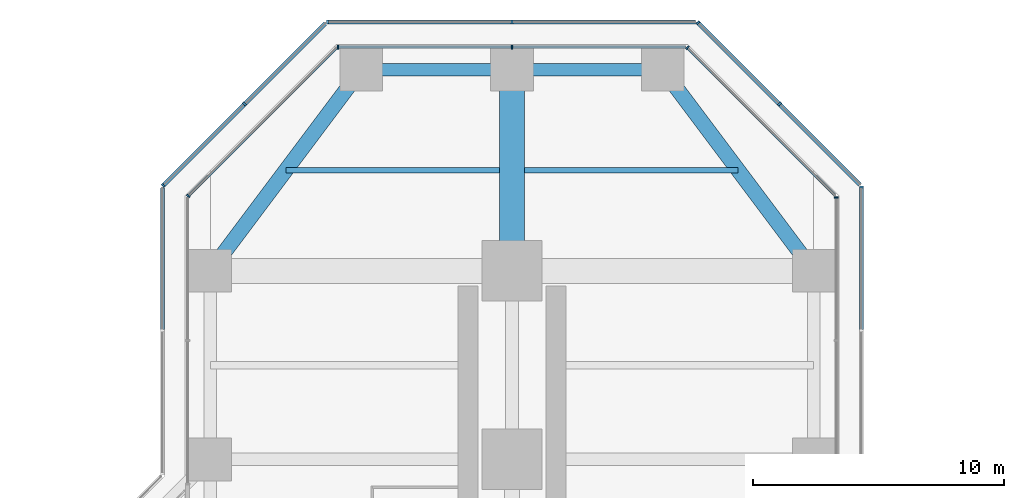
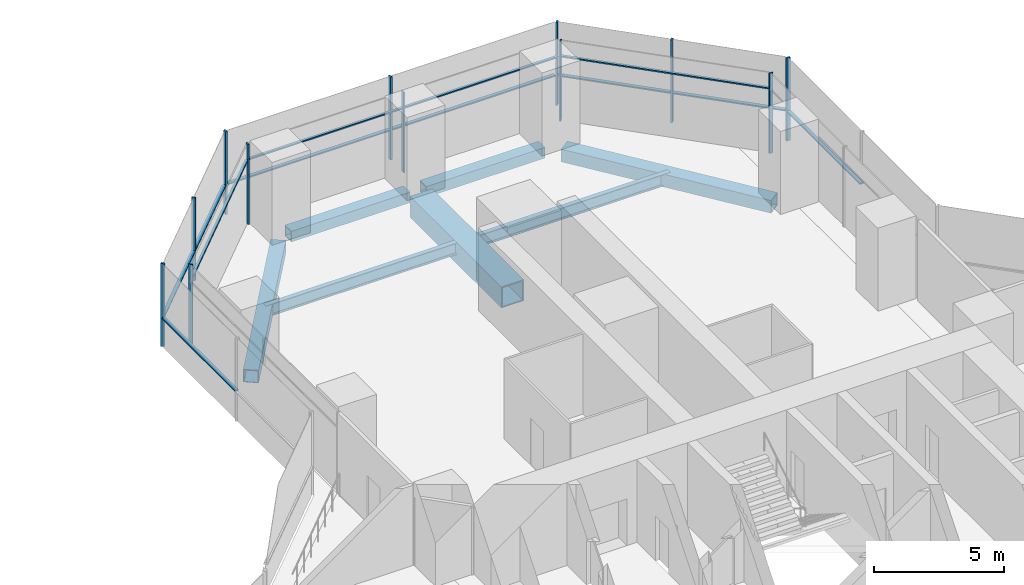
# One storey, part 13 of 22: 24 members, 7 beams, 9 elements without a shape of their own.
"""IFC4 building model written with IfcOpenShell, lengths in metres."""

import ifcopenshell
import ifcopenshell.guid

model = None  # the IFC model being written
_history = None  # IfcOwnerHistory: only IFC2X3 demands one
_inside = {}  # id of a spatial element -> (the spatial element, [elements in it])
_under = {}  # id of a project, library or spatial element -> (it, [spatial elements below it])
_declared = {}  # id of a project -> (the project, [libraries it declares])
_typed = {}  # id of a type object -> (the type object, [elements of that type])
_made_of = {}  # id of a material, layer set ... -> (it, [elements and type objects made of it])


def new_model(schema):
    """Start an empty IFC model of exactly this schema.

    Asked for "IFC4X3", IfcOpenShell would pick the latest addendum, in which some entities
    have other attributes; the version numbers below select the first issue.
    IFC2X3 requires an IfcOwnerHistory on every rooted entity: one is made here for all.
    """
    global model, _history
    if schema == "IFC4X3":
        model = ifcopenshell.file(schema_version=(4, 3, 0, 0))
    else:
        model = ifcopenshell.file(schema=schema)
    _inside.clear()
    _under.clear()
    _declared.clear()
    _typed.clear()
    _made_of.clear()
    _history = None
    if model.schema == "IFC2X3":
        org = make("IfcOrganization", Name="unknown")
        user = make(
            "IfcPersonAndOrganization",
            ThePerson=make("IfcPerson", FamilyName="unknown"),
            TheOrganization=org,
        )
        app = make(
            "IfcApplication",
            ApplicationDeveloper=org,
            Version="unknown",
            ApplicationFullName="unknown",
            ApplicationIdentifier="unknown",
        )
        _history = make(
            "IfcOwnerHistory",
            OwningUser=user,
            OwningApplication=app,
            ChangeAction="ADDED",
            CreationDate=0,
        )
    return model


def make(cls, **values):
    """One entity of the class cls with the attributes given. An attribute that is None is left unset."""
    return model.create_entity(
        cls, **{name: value for name, value in values.items() if value is not None}
    )


def rooted(cls, **values):
    """An entity with a GlobalId (a new one), such as an element, a storey or a relation."""
    return make(cls, GlobalId=ifcopenshell.guid.new(), OwnerHistory=_history, **values)


def si_unit(unit_type, name, prefix=None):
    """IfcSIUnit, for example si_unit("LENGTHUNIT", "METRE", prefix="MILLI")."""
    return make("IfcSIUnit", UnitType=unit_type, Prefix=prefix, Name=name)


def assignment(units):
    """IfcUnitAssignment: the units of a project."""
    return None if units is None else make("IfcUnitAssignment", Units=units)


def point(xyz):
    """IfcCartesianPoint."""
    return None if xyz is None else make("IfcCartesianPoint", Coordinates=xyz)


def direction(xyz):
    """IfcDirection."""
    return None if xyz is None else make("IfcDirection", DirectionRatios=xyz)


def frame(location, z_axis=None, x_axis=None):
    """IfcAxis2Placement3D, a coordinate frame: its origin and axes. An axis left out is left unset."""
    return make(
        "IfcAxis2Placement3D",
        Location=point(location),
        Axis=direction(z_axis),
        RefDirection=direction(x_axis),
    )


def frame_2d(location, x_axis=None):
    """IfcAxis2Placement2D, a coordinate frame in the plane: its origin and x axis."""
    return make(
        "IfcAxis2Placement2D", Location=point(location), RefDirection=direction(x_axis)
    )


def origin():
    """The frame at (0, 0, 0) with its axes left unset."""
    return frame((0.0, 0.0, 0.0))


def origin_2d():
    """The frame at (0, 0) in the plane with its x axis left unset."""
    return frame_2d((0.0, 0.0))


def place(relative_to, where):
    """IfcLocalPlacement: puts the frame where relative to a parent placement (None: the world)."""
    return make(
        "IfcLocalPlacement", PlacementRelTo=relative_to, RelativePlacement=where
    )


def context(
    kind, dimensions, precision=None, world=None, true_north=None, identifier=None
):
    """IfcGeometricRepresentationContext, for example the 3D "Model" context."""
    return make(
        "IfcGeometricRepresentationContext",
        ContextIdentifier=identifier,
        ContextType=kind,
        CoordinateSpaceDimension=dimensions,
        Precision=precision,
        WorldCoordinateSystem=world,
        TrueNorth=true_north,
    )


def subcontext(parent, identifier, kind, view, scale=None):
    """IfcGeometricRepresentationSubContext, for example "Body" below "Model"."""
    return make(
        "IfcGeometricRepresentationSubContext",
        ContextIdentifier=identifier,
        ContextType=kind,
        ParentContext=parent,
        TargetScale=scale,
        TargetView=view,
    )


def project(units=None, contexts=None):
    """IfcProject with its units and contexts."""
    return rooted(
        "IfcProject",
        Name="project",
        RepresentationContexts=contexts,
        UnitsInContext=assignment(units),
    )


def spatial(cls, under=None, at=None, **own):
    """A site, building, storey or space (cls), placed at a placement, below another one or the project."""
    s = rooted(cls, ObjectPlacement=at, **own)
    if under is not None:
        _under.setdefault(under.id(), (under, []))[1].append(s)
    return s


def profile(cls, at=None, kind="AREA", **sizes):
    """A parametric profile (cls). Its sizes go by their IFC names, for example OverallWidth=200.0."""
    return make(cls, ProfileType=kind, Position=at, **sizes)


def rectangle(**sizes):
    """IfcRectangleProfileDef."""
    return profile("IfcRectangleProfileDef", **sizes)


def hollow_rectangle(**sizes):
    """IfcRectangleHollowProfileDef."""
    return profile("IfcRectangleHollowProfileDef", **sizes)


def i_section(**sizes):
    """IfcIShapeProfileDef."""
    return profile("IfcIShapeProfileDef", **sizes)


def extrude(swept, where, along, depth):
    """IfcExtrudedAreaSolid: the profile swept, set in the frame where, extruded along a direction by depth."""
    return make(
        "IfcExtrudedAreaSolid",
        SweptArea=swept,
        Position=where,
        ExtrudedDirection=direction(along),
        Depth=depth,
    )


def shape(context_of_items, identifier, shape_type, items):
    """IfcShapeRepresentation: the items that make up one representation, for example the "Body"."""
    return make(
        "IfcShapeRepresentation",
        ContextOfItems=context_of_items,
        RepresentationIdentifier=identifier,
        RepresentationType=shape_type,
        Items=items,
    )


def material(Name=None, Category=None):
    """IfcMaterial."""
    return make("IfcMaterial", Name=Name, Category=Category)


def material_profile(
    of_material, cross_section, Name=None, Category=None, Priority=None
):
    """IfcMaterialProfile: a cross section and its material."""
    return make(
        "IfcMaterialProfile",
        Name=Name,
        Material=of_material,
        Profile=cross_section,
        Priority=Priority,
        Category=Category,
    )


def profile_set(profiles, Name=None, composite=None):
    """IfcMaterialProfileSet."""
    return make(
        "IfcMaterialProfileSet",
        Name=Name,
        MaterialProfiles=profiles,
        CompositeProfile=composite,
    )


def made_of(thing, what):
    """Note that an element or type object is made of a material, layer set ...; save() writes the relation."""
    if what is not None:
        _made_of.setdefault(what.id(), (what, []))[1].append(thing)
    return thing


def type_object(cls, material=None, **own):
    """A type object (cls), such as IfcWallType, which elements share."""
    return made_of(rooted(cls, **own), material)


def element(
    cls,
    number,
    at=None,
    inside=None,
    cuts=None,
    type_object=None,
    material=None,
    context=None,
    identifier="Body",
    shape_type=None,
    held_by="IfcProductDefinitionShape",
    body=None,
    shapes=None,
    **own,
):
    """One element of the class cls, such as IfcWall. Its Tag is "e" and its number.

    at: its placement. inside: the storey or other place that contains it. cuts: it is an
    opening in that element (IfcRelVoidsElement). A single representation is given by context,
    identifier, shape_type and body (its items); several are given by shapes. held_by: the class
    of the entity that holds the representations. save() writes the other relations.
    """
    e = rooted(cls, Tag="e%d" % number, ObjectPlacement=at, **own)
    if body is not None:
        shapes = [shape(context, identifier, shape_type, body)]
    if shapes is not None:
        e.Representation = make(held_by, Representations=shapes)
    if inside is not None:
        _inside.setdefault(inside.id(), (inside, []))[1].append(e)
    if cuts is not None:
        rooted(
            "IfcRelVoidsElement", RelatingBuildingElement=cuts, RelatedOpeningElement=e
        )
    if type_object is not None:
        _typed.setdefault(type_object.id(), (type_object, []))[1].append(e)
    return made_of(e, material)


def aggregate(whole, parts):
    """IfcRelAggregates: a whole, such as a stair, and the parts it consists of."""
    return rooted("IfcRelAggregates", RelatingObject=whole, RelatedObjects=parts)


def save(model, path):
    """Write the relations noted so far, then the file.

    IfcRelAggregates (storeys below a building ...), IfcRelContainedInSpatialStructure (elements
    in a storey), IfcRelDefinesByType, IfcRelAssociatesMaterial and IfcRelDeclares: one each for
    every whole, place, type object, material and project.
    """
    for whole, parts in _under.values():
        aggregate(whole, parts)
    for where, things in _inside.values():
        rooted(
            "IfcRelContainedInSpatialStructure",
            RelatedElements=things,
            RelatingStructure=where,
        )
    for kind, things in _typed.values():
        rooted("IfcRelDefinesByType", RelatedObjects=things, RelatingType=kind)
    for what, things in _made_of.values():
        rooted("IfcRelAssociatesMaterial", RelatedObjects=things, RelatingMaterial=what)
    for by, libraries in _declared.values():
        rooted("IfcRelDeclares", RelatingContext=by, RelatedDefinitions=libraries)
    model.write(path)


model = new_model("IFC4")

# Units and contexts
model_context = context("Model", 3, precision=1e-05, world=origin(), true_north=direction((0.0, 1.0)))
body_context = subcontext(model_context, "Body", "Model", "MODEL_VIEW")
ifc_project = project(units=[si_unit("LENGTHUNIT", "METRE"), si_unit("AREAUNIT", "SQUARE_METRE"), si_unit("VOLUMEUNIT", "CUBIC_METRE"), si_unit("PLANEANGLEUNIT", "RADIAN"), si_unit("MASSUNIT", "GRAM", prefix="KILO")], contexts=[model_context])

# Site, building, storey
site_placement = place(None, origin())
site = spatial("IfcSite", under=ifc_project, at=site_placement, CompositionType="ELEMENT")
building_placement = place(site_placement, origin())
building = spatial("IfcBuilding", under=site, at=building_placement, Name="Mizan Broadcast Tower", CompositionType="ELEMENT")
storey_placement = place(building_placement, frame((0.0, 0.0, 59.10009765625)))
storey = spatial("IfcBuildingStorey", under=building, at=storey_placement, Name="L11", CompositionType="ELEMENT", Elevation=59.10009765625)

# Beams
ifc_material_1 = material(Name="Steel S355", Category="steel")
ifc_material_profile_1 = material_profile(ifc_material_1, hollow_rectangle(XDim=0.5, YDim=0.5, WallThickness=0.030029296875, at=origin_2d()), Name="BOX 500x500x30")
ifc_profile_set_1 = profile_set([ifc_material_profile_1], Name="Steel S355")
beam_type_1 = type_object("IfcBeamType", Name="EDGE BEAM BOX 500x500x30", PredefinedType="SPANDREL", material=ifc_profile_set_1)
for number, where, z_axis, x_axis, name in (
    (1, (5.639892578125, 35.0, -0.380126953125), (-1.0, 0.0, 0.0), (0.0, -1.0, 0.0), "Edge beam BOX 500x500x30 L11 north arm"),
    (2, (-5.639892578125, 35.0, -0.380126953125), (1.0, 0.0, 0.0), (0.0, 1.0, 0.0), "Edge beam BOX 500x500x30 L11 north arm"),
):
    element("IfcBeam", number, at=place(storey_placement, frame(where, z_axis=z_axis, x_axis=x_axis)), inside=storey, type_object=beam_type_1, Name=name, PredefinedType="SPANDREL", context=body_context, shape_type="SweptSolid", body=[
        extrude(hollow_rectangle(XDim=0.5, YDim=0.5, WallThickness=0.030029296875, at=origin_2d()), origin(), (0.0, 0.0, 1.0), 5.27978515625),
    ])
ifc_material_2 = material(Name="Steel S355", Category="steel")
ifc_material_profile_2 = material_profile(ifc_material_2, hollow_rectangle(XDim=0.60009765625, YDim=0.60009765625, WallThickness=0.030029296875, at=origin_2d()), Name="BOX 600x600x30")
ifc_profile_set_2 = profile_set([ifc_material_profile_2], Name="Steel S355")
beam_type_2 = type_object("IfcBeamType", Name="EDGE BEAM BOX 600x600x30", PredefinedType="SPANDREL", material=ifc_profile_set_2)
for number, where, z_axis, x_axis, name in (
    (3, (11.639892578125, 27.47998046875, -0.43017578125), (-0.599982243973, 0.800013316712, 0.0), (-0.800013316712, -0.599982243973, 0.0), "Edge beam BOX 600x600x30 L11 north arm"),
    (4, (-11.639892578125, 27.47998046875, -0.43017578125), (0.599982243973, 0.800013316712, 0.0), (-0.800013316712, 0.599982243973, 0.0), "Edge beam BOX 600x600x30 L11 north arm"),
):
    element("IfcBeam", number, at=place(storey_placement, frame(where, z_axis=z_axis, x_axis=x_axis)), inside=storey, type_object=beam_type_2, Name=name, PredefinedType="SPANDREL", context=body_context, shape_type="SweptSolid", body=[
        extrude(hollow_rectangle(XDim=0.60009765625, YDim=0.60009765625, WallThickness=0.030029296875, at=origin_2d()), origin(), (0.0, 0.0, 1.0), 8.7998046875),
    ])
ifc_material_3 = material(Name="Steel S460", Category="steel")
ifc_material_profile_3 = material_profile(ifc_material_3, hollow_rectangle(XDim=1.0, YDim=1.0, WallThickness=0.06005859375, at=origin_2d()), Name="BOX 1000x1000x60")
ifc_profile_set_3 = profile_set([ifc_material_profile_3], Name="Steel S460")
beam_type_3 = type_object("IfcBeamType", Name="GIRDER BOX 1000x1000x60", PredefinedType="BEAM", material=ifc_profile_set_3)
beam_placement = place(storey_placement, frame((0.0, 27.47998046875, -0.630126953125), z_axis=(0.0, 1.0, 0.0), x_axis=(-1.0, 0.0, 0.0)))
element("IfcBeam", 5, at=beam_placement, inside=storey, type_object=beam_type_3, Name="Girder BOX 1000x1000x60 L11 north arm", PredefinedType="BEAM", context=body_context, shape_type="SweptSolid", body=[
    extrude(hollow_rectangle(XDim=1.0, YDim=1.0, WallThickness=0.06005859375, at=origin_2d()), origin(), (0.0, 0.0, 1.0), 7.0400390625),
])

# Curtain wall, member
ifc_material_4 = material(Name="Aluminium framed glazing", Category="aluminium")
curtain_wall_type_1 = type_object("IfcCurtainWallType", Name="INNER SKIN LOW ZONE", PredefinedType="USERDEFINED", material=ifc_material_4)
curtain_wall_1_placement = place(storey_placement, origin())
curtain_wall_1 = element("IfcCurtainWall", 6, at=curtain_wall_1_placement, inside=storey, type_object=curtain_wall_type_1, Name="Inner skin low zone L11 N side", ObjectType="INNER SKIN LOW ZONE", PredefinedType="USERDEFINED")
ifc_material_5 = material(Name="Aluminium, pale anodised", Category="aluminium")
ifc_material_profile_4 = material_profile(ifc_material_5, rectangle(XDim=0.159912109375, YDim=0.06005859375, at=origin_2d()), Name="MULLION 160x60")
ifc_profile_set_4 = profile_set([ifc_material_profile_4], Name="Aluminium, pale anodised")
member_type_1 = type_object("IfcMemberType", Name="INNER SKIN MULLION 60x160", PredefinedType="MULLION", material=ifc_profile_set_4)
member_1_placement = place(storey_placement, frame((12.89990234375, 29.928466796875, 0.0), z_axis=(0.0, 0.0, 1.0), x_axis=(-1.0, 0.0, 0.0)))
member_1 = element("IfcMember", 7, at=member_1_placement, type_object=member_type_1, Name="Inner skin low zone L11 N side mullion 3", PredefinedType="MULLION", context=body_context, shape_type="SweptSolid", body=[
    extrude(rectangle(XDim=0.159912109375, YDim=0.06005859375, at=origin_2d()), origin(), (0.0, 0.0, 1.0), 3.77001953125),
])
aggregate(curtain_wall_1, [member_1])

curtain_wall_2_placement = place(storey_placement, origin())
curtain_wall_2 = element("IfcCurtainWall", 8, at=curtain_wall_2_placement, inside=storey, type_object=curtain_wall_type_1, Name="Inner skin low zone L11 N chamfer", ObjectType="INNER SKIN LOW ZONE", PredefinedType="USERDEFINED")
member_2_placement = place(storey_placement, frame((6.979736328125, 35.87890625, 0.0), z_axis=(0.0, 0.0, 1.0), x_axis=(-0.707106781187, -0.707106781187, 0.0)))
member_2 = element("IfcMember", 9, at=member_2_placement, type_object=member_type_1, Name="Inner skin low zone L11 N chamfer mullion 2", PredefinedType="MULLION", context=body_context, shape_type="SweptSolid", body=[
    extrude(rectangle(XDim=0.159912109375, YDim=0.06005859375, at=origin_2d()), origin(), (0.0, 0.0, 1.0), 3.77001953125),
])

# Curtain wall, members
curtain_wall_3_placement = place(storey_placement, origin())
curtain_wall_3 = element("IfcCurtainWall", 10, at=curtain_wall_3_placement, inside=storey, type_object=curtain_wall_type_1, Name="Inner skin low zone L11 N end", ObjectType="INNER SKIN LOW ZONE", PredefinedType="USERDEFINED")
member_3_placement = place(storey_placement, frame((0.0, 35.89990234375, 0.0), z_axis=(0.0, 0.0, 1.0), x_axis=(0.0, -1.0, 0.0)))
member_3 = element("IfcMember", 11, at=member_3_placement, type_object=member_type_1, Name="Inner skin low zone L11 N end mullion 2", PredefinedType="MULLION", context=body_context, shape_type="SweptSolid", body=[
    extrude(rectangle(XDim=0.159912109375, YDim=0.06005859375, at=origin_2d()), origin(), (0.0, 0.0, 1.0), 3.77001953125),
])
member_4_placement = place(storey_placement, frame((-6.928466796875, 35.89990234375, 0.0), z_axis=(0.0, 0.0, 1.0), x_axis=(0.0, -1.0, 0.0)))
member_4 = element("IfcMember", 12, at=member_4_placement, type_object=member_type_1, Name="Inner skin low zone L11 N end mullion 3", PredefinedType="MULLION", context=body_context, shape_type="SweptSolid", body=[
    extrude(rectangle(XDim=0.159912109375, YDim=0.06005859375, at=origin_2d()), origin(), (0.0, 0.0, 1.0), 3.77001953125),
])

# Curtain wall, member
curtain_wall_4_placement = place(storey_placement, origin())
curtain_wall_4 = element("IfcCurtainWall", 13, at=curtain_wall_4_placement, inside=storey, type_object=curtain_wall_type_1, Name="Inner skin low zone L11 N chamfer", ObjectType="INNER SKIN LOW ZONE", PredefinedType="USERDEFINED")
member_5_placement = place(storey_placement, frame((-12.87890625, 29.979736328125, 0.0), z_axis=(0.0, 0.0, 1.0), x_axis=(0.707106781187, -0.707106781187, 0.0)))
member_5 = element("IfcMember", 14, at=member_5_placement, type_object=member_type_1, Name="Inner skin low zone L11 N chamfer mullion 2", PredefinedType="MULLION", context=body_context, shape_type="SweptSolid", body=[
    extrude(rectangle(XDim=0.159912109375, YDim=0.06005859375, at=origin_2d()), origin(), (0.0, 0.0, 1.0), 3.77001953125),
])

# Member
ifc_material_6 = material(Name="Aluminium, pale anodised", Category="aluminium")
ifc_material_profile_5 = material_profile(ifc_material_6, rectangle(XDim=0.1201171875, YDim=0.06005859375, at=origin_2d()), Name="TRANSOM 120x60")
ifc_profile_set_5 = profile_set([ifc_material_profile_5], Name="Aluminium, pale anodised")
member_type_2 = type_object("IfcMemberType", Name="INNER SKIN TRANSOM 60x120", PredefinedType="USERDEFINED", material=ifc_profile_set_5)
member_6_placement = place(storey_placement, frame((12.857666015625, 30.0009765625, 3.02978515625), z_axis=(-0.707106781187, 0.707106781187, 0.0), x_axis=(-0.707106781187, -0.707106781187, 0.0)))
member_6 = element("IfcMember", 15, at=member_6_placement, type_object=member_type_2, Name="Inner skin low zone L11 N chamfer transom 1.1", ObjectType="TRANSOM", PredefinedType="USERDEFINED", context=body_context, shape_type="SweptSolid", body=[
    extrude(rectangle(XDim=0.1201171875, YDim=0.06005859375, at=origin_2d()), origin(), (0.0, 0.0, 1.0), 8.28271484375),
])

aggregate(curtain_wall_2, [member_2, member_6])

member_7_placement = place(storey_placement, frame((6.898681640625, 35.89990234375, 3.02978515625), z_axis=(-1.0, 0.0, 0.0), x_axis=(0.0, -1.0, 0.0)))
member_7 = element("IfcMember", 16, at=member_7_placement, type_object=member_type_2, Name="Inner skin low zone L11 N end transom 1.1", ObjectType="TRANSOM", PredefinedType="USERDEFINED", context=body_context, shape_type="SweptSolid", body=[
    extrude(rectangle(XDim=0.1201171875, YDim=0.06005859375, at=origin_2d()), origin(), (0.0, 0.0, 1.0), 6.86865234375),
])

member_8_placement = place(storey_placement, frame((-0.030029296875, 35.89990234375, 3.02978515625), z_axis=(-1.0, 0.0, 0.0), x_axis=(0.0, -1.0, 0.0)))
member_8 = element("IfcMember", 17, at=member_8_placement, type_object=member_type_2, Name="Inner skin low zone L11 N end transom 2.1", ObjectType="TRANSOM", PredefinedType="USERDEFINED", context=body_context, shape_type="SweptSolid", body=[
    extrude(rectangle(XDim=0.1201171875, YDim=0.06005859375, at=origin_2d()), origin(), (0.0, 0.0, 1.0), 6.86865234375),
])

aggregate(curtain_wall_3, [member_3, member_4, member_7, member_8])

member_9_placement = place(storey_placement, frame((-7.0009765625, 35.857666015625, 3.02978515625), z_axis=(-0.707106781187, -0.707106781187, 0.0), x_axis=(0.707106781187, -0.707106781187, 0.0)))
member_9 = element("IfcMember", 18, at=member_9_placement, type_object=member_type_2, Name="Inner skin low zone L11 N chamfer transom 1.1", ObjectType="TRANSOM", PredefinedType="USERDEFINED", context=body_context, shape_type="SweptSolid", body=[
    extrude(rectangle(XDim=0.1201171875, YDim=0.06005859375, at=origin_2d()), origin(), (0.0, 0.0, 1.0), 8.28271484375),
])

aggregate(curtain_wall_4, [member_5, member_9])

# Curtain wall, member
ifc_material_7 = material(Name="Aluminium framed glazing", Category="aluminium")
curtain_wall_type_2 = type_object("IfcCurtainWallType", Name="OUTER SKIN", PredefinedType="USERDEFINED", material=ifc_material_7)
curtain_wall_5_placement = place(storey_placement, origin())
curtain_wall_5 = element("IfcCurtainWall", 19, at=curtain_wall_5_placement, inside=storey, type_object=curtain_wall_type_2, Name="Outer skin L11 N side", ObjectType="OUTER SKIN", PredefinedType="USERDEFINED")
ifc_material_8 = material(Name="Aluminium, pale anodised", Category="aluminium")
ifc_material_profile_6 = material_profile(ifc_material_8, rectangle(XDim=0.159912109375, YDim=0.080078125, at=origin_2d()), Name="MULLION 160x80")
ifc_profile_set_6 = profile_set([ifc_material_profile_6], Name="Aluminium, pale anodised")
member_type_3 = type_object("IfcMemberType", Name="OUTER SKIN MULLION 80x160", PredefinedType="MULLION", material=ifc_profile_set_6)
member_10_placement = place(storey_placement, frame((13.89990234375, 30.332763671875, 0.0), z_axis=(0.0, 0.0, 1.0), x_axis=(-1.0, 0.0, 0.0)))
member_10 = element("IfcMember", 20, at=member_10_placement, type_object=member_type_3, Name="Outer skin L11 N side mullion 3", PredefinedType="MULLION", context=body_context, shape_type="SweptSolid", body=[
    extrude(rectangle(XDim=0.159912109375, YDim=0.080078125, at=origin_2d()), origin(), (0.0, 0.0, 1.0), 3.89990234375),
])

# Curtain wall, members
curtain_wall_6_placement = place(storey_placement, origin())
curtain_wall_6 = element("IfcCurtainWall", 21, at=curtain_wall_6_placement, inside=storey, type_object=curtain_wall_type_2, Name="Outer skin L11 N chamfer", ObjectType="OUTER SKIN", PredefinedType="USERDEFINED")
member_11_placement = place(storey_placement, frame((10.636474609375, 33.636474609375, 0.0), z_axis=(0.0, 0.0, 1.0), x_axis=(-0.707106781187, -0.707106781187, 0.0)))
member_11 = element("IfcMember", 22, at=member_11_placement, type_object=member_type_3, Name="Outer skin L11 N chamfer mullion 2", PredefinedType="MULLION", context=body_context, shape_type="SweptSolid", body=[
    extrude(rectangle(XDim=0.159912109375, YDim=0.080078125, at=origin_2d()), origin(), (0.0, 0.0, 1.0), 3.89990234375),
])
member_12_placement = place(storey_placement, frame((7.401123046875, 36.871826171875, 0.0), z_axis=(0.0, 0.0, 1.0), x_axis=(-0.707106781187, -0.707106781187, 0.0)))
member_12 = element("IfcMember", 23, at=member_12_placement, type_object=member_type_3, Name="Outer skin L11 N chamfer mullion 3", PredefinedType="MULLION", context=body_context, shape_type="SweptSolid", body=[
    extrude(rectangle(XDim=0.159912109375, YDim=0.080078125, at=origin_2d()), origin(), (0.0, 0.0, 1.0), 3.89990234375),
])

curtain_wall_7_placement = place(storey_placement, origin())
curtain_wall_7 = element("IfcCurtainWall", 24, at=curtain_wall_7_placement, inside=storey, type_object=curtain_wall_type_2, Name="Outer skin L11 N end", ObjectType="OUTER SKIN", PredefinedType="USERDEFINED")
member_13_placement = place(storey_placement, frame((0.0, 36.89990234375, 0.0), z_axis=(0.0, 0.0, 1.0), x_axis=(0.0, -1.0, 0.0)))
member_13 = element("IfcMember", 25, at=member_13_placement, type_object=member_type_3, Name="Outer skin L11 N end mullion 2", PredefinedType="MULLION", context=body_context, shape_type="SweptSolid", body=[
    extrude(rectangle(XDim=0.159912109375, YDim=0.080078125, at=origin_2d()), origin(), (0.0, 0.0, 1.0), 3.89990234375),
])
member_14_placement = place(storey_placement, frame((-7.332763671875, 36.89990234375, 0.0), z_axis=(0.0, 0.0, 1.0), x_axis=(0.0, -1.0, 0.0)))
member_14 = element("IfcMember", 26, at=member_14_placement, type_object=member_type_3, Name="Outer skin L11 N end mullion 3", PredefinedType="MULLION", context=body_context, shape_type="SweptSolid", body=[
    extrude(rectangle(XDim=0.159912109375, YDim=0.080078125, at=origin_2d()), origin(), (0.0, 0.0, 1.0), 3.89990234375),
])

curtain_wall_8_placement = place(storey_placement, origin())
curtain_wall_8 = element("IfcCurtainWall", 27, at=curtain_wall_8_placement, inside=storey, type_object=curtain_wall_type_2, Name="Outer skin L11 N chamfer", ObjectType="OUTER SKIN", PredefinedType="USERDEFINED")
member_15_placement = place(storey_placement, frame((-10.636474609375, 33.636474609375, 0.0), z_axis=(0.0, 0.0, 1.0), x_axis=(0.707106781187, -0.707106781187, 0.0)))
member_15 = element("IfcMember", 28, at=member_15_placement, type_object=member_type_3, Name="Outer skin L11 N chamfer mullion 2", PredefinedType="MULLION", context=body_context, shape_type="SweptSolid", body=[
    extrude(rectangle(XDim=0.159912109375, YDim=0.080078125, at=origin_2d()), origin(), (0.0, 0.0, 1.0), 3.89990234375),
])
member_16_placement = place(storey_placement, frame((-13.871826171875, 30.401123046875, 0.0), z_axis=(0.0, 0.0, 1.0), x_axis=(0.707106781187, -0.707106781187, 0.0)))
member_16 = element("IfcMember", 29, at=member_16_placement, type_object=member_type_3, Name="Outer skin L11 N chamfer mullion 3", PredefinedType="MULLION", context=body_context, shape_type="SweptSolid", body=[
    extrude(rectangle(XDim=0.159912109375, YDim=0.080078125, at=origin_2d()), origin(), (0.0, 0.0, 1.0), 3.89990234375),
])

# Member
ifc_material_9 = material(Name="Aluminium, pale anodised", Category="aluminium")
ifc_material_profile_7 = material_profile(ifc_material_9, rectangle(XDim=0.159912109375, YDim=0.06005859375, at=origin_2d()), Name="TRANSOM 160x60")
ifc_profile_set_7 = profile_set([ifc_material_profile_7], Name="Aluminium, pale anodised")
member_type_4 = type_object("IfcMemberType", Name="OUTER SKIN TRANSOM 60x160", PredefinedType="USERDEFINED", material=ifc_profile_set_7)
member_17_placement = place(storey_placement, frame((13.89990234375, 24.662841796875, 1.39990234375), z_axis=(0.0, 1.0, 0.0), x_axis=(-1.0, 0.0, 0.0)))
member_17 = element("IfcMember", 30, at=member_17_placement, type_object=member_type_4, Name="Outer skin L11 N side transom 2.1", ObjectType="TRANSOM", PredefinedType="USERDEFINED", context=body_context, shape_type="SweptSolid", body=[
    extrude(rectangle(XDim=0.159912109375, YDim=0.06005859375, at=origin_2d()), origin(), (0.0, 0.0, 1.0), 5.6298828125),
])

aggregate(curtain_wall_5, [member_10, member_17])

member_18_placement = place(storey_placement, frame((13.843505859375, 30.429443359375, 1.39990234375), z_axis=(-0.707106781187, 0.707106781187, 0.0), x_axis=(-0.707106781187, -0.707106781187, 0.0)))
member_18 = element("IfcMember", 31, at=member_18_placement, type_object=member_type_4, Name="Outer skin L11 N chamfer transom 1.1", ObjectType="TRANSOM", PredefinedType="USERDEFINED", context=body_context, shape_type="SweptSolid", body=[
    extrude(rectangle(XDim=0.159912109375, YDim=0.06005859375, at=origin_2d()), origin(), (0.0, 0.0, 1.0), 4.495361328125),
])

member_19_placement = place(storey_placement, frame((10.608154296875, 33.664794921875, 1.39990234375), z_axis=(-0.707106781187, 0.707106781187, 0.0), x_axis=(-0.707106781187, -0.707106781187, 0.0)))
member_19 = element("IfcMember", 32, at=member_19_placement, type_object=member_type_4, Name="Outer skin L11 N chamfer transom 2.1", ObjectType="TRANSOM", PredefinedType="USERDEFINED", context=body_context, shape_type="SweptSolid", body=[
    extrude(rectangle(XDim=0.159912109375, YDim=0.06005859375, at=origin_2d()), origin(), (0.0, 0.0, 1.0), 4.495361328125),
])

aggregate(curtain_wall_6, [member_11, member_12, member_18, member_19])

member_20_placement = place(storey_placement, frame((7.292724609375, 36.89990234375, 1.39990234375), z_axis=(-1.0, 0.0, 0.0), x_axis=(0.0, -1.0, 0.0)))
member_20 = element("IfcMember", 33, at=member_20_placement, type_object=member_type_4, Name="Outer skin L11 N end transom 1.1", ObjectType="TRANSOM", PredefinedType="USERDEFINED", context=body_context, shape_type="SweptSolid", body=[
    extrude(rectangle(XDim=0.159912109375, YDim=0.06005859375, at=origin_2d()), origin(), (0.0, 0.0, 1.0), 7.252685546875),
])

member_21_placement = place(storey_placement, frame((-0.0400390625, 36.89990234375, 1.39990234375), z_axis=(-1.0, 0.0, 0.0), x_axis=(0.0, -1.0, 0.0)))
member_21 = element("IfcMember", 34, at=member_21_placement, type_object=member_type_4, Name="Outer skin L11 N end transom 2.1", ObjectType="TRANSOM", PredefinedType="USERDEFINED", context=body_context, shape_type="SweptSolid", body=[
    extrude(rectangle(XDim=0.159912109375, YDim=0.06005859375, at=origin_2d()), origin(), (0.0, 0.0, 1.0), 7.252685546875),
])

aggregate(curtain_wall_7, [member_13, member_14, member_20, member_21])

member_22_placement = place(storey_placement, frame((-7.429443359375, 36.843505859375, 1.39990234375), z_axis=(-0.707106781187, -0.707106781187, 0.0), x_axis=(0.707106781187, -0.707106781187, 0.0)))
member_22 = element("IfcMember", 35, at=member_22_placement, type_object=member_type_4, Name="Outer skin L11 N chamfer transom 1.1", ObjectType="TRANSOM", PredefinedType="USERDEFINED", context=body_context, shape_type="SweptSolid", body=[
    extrude(rectangle(XDim=0.159912109375, YDim=0.06005859375, at=origin_2d()), origin(), (0.0, 0.0, 1.0), 4.495361328125),
])

member_23_placement = place(storey_placement, frame((-10.664794921875, 33.608154296875, 1.39990234375), z_axis=(-0.707106781187, -0.707106781187, 0.0), x_axis=(0.707106781187, -0.707106781187, 0.0)))
member_23 = element("IfcMember", 36, at=member_23_placement, type_object=member_type_4, Name="Outer skin L11 N chamfer transom 2.1", ObjectType="TRANSOM", PredefinedType="USERDEFINED", context=body_context, shape_type="SweptSolid", body=[
    extrude(rectangle(XDim=0.159912109375, YDim=0.06005859375, at=origin_2d()), origin(), (0.0, 0.0, 1.0), 4.495361328125),
])

aggregate(curtain_wall_8, [member_15, member_16, member_22, member_23])

# Curtain wall, member
curtain_wall_9_placement = place(storey_placement, origin())
curtain_wall_9 = element("IfcCurtainWall", 37, at=curtain_wall_9_placement, inside=storey, type_object=curtain_wall_type_2, Name="Outer skin L11 N side", ObjectType="OUTER SKIN", PredefinedType="USERDEFINED")
member_24_placement = place(storey_placement, frame((-13.89990234375, 30.292724609375, 1.39990234375), z_axis=(0.0, -1.0, 0.0), x_axis=(1.0, 0.0, 0.0)))
member_24 = element("IfcMember", 38, at=member_24_placement, type_object=member_type_4, Name="Outer skin L11 N side transom 1.1", ObjectType="TRANSOM", PredefinedType="USERDEFINED", context=body_context, shape_type="SweptSolid", body=[
    extrude(rectangle(XDim=0.159912109375, YDim=0.06005859375, at=origin_2d()), origin(), (0.0, 0.0, 1.0), 5.6298828125),
])
aggregate(curtain_wall_9, [member_24])

# Beams
ifc_material_10 = material(Name="Steel S355", Category="steel")
ifc_material_profile_8 = material_profile(ifc_material_10, i_section(OverallWidth=0.2099609375, OverallDepth=0.550048828125, WebThickness=0.010986328125, FlangeThickness=0.01708984375, FilletRadius=0.02392578125, at=origin_2d()), Name="IPE 550")
ifc_profile_set_8 = profile_set([ifc_material_profile_8], Name="Steel S355")
beam_type_4 = type_object("IfcBeamType", Name="SECONDARY BEAM IPE 550", PredefinedType="JOIST", material=ifc_profile_set_8)
for number, where, z_axis, x_axis, name in (
    (39, (9.0, 31.0, -0.405029296875), (-1.0, 0.0, 0.0), (0.0, -1.0, 0.0), "Secondary beam IPE 550 L11 north arm"),
    (40, (-9.0, 31.0, -0.405029296875), (1.0, 0.0, 0.0), (0.0, 1.0, 0.0), "Secondary beam IPE 550 L11 north arm"),
):
    element("IfcBeam", number, at=place(storey_placement, frame(where, z_axis=z_axis, x_axis=x_axis)), inside=storey, type_object=beam_type_4, Name=name, PredefinedType="JOIST", context=body_context, shape_type="SweptSolid", body=[
        extrude(i_section(OverallWidth=0.2099609375, OverallDepth=0.550048828125, WebThickness=0.010986328125, FlangeThickness=0.01708984375, FilletRadius=0.02392578125, at=origin_2d()), origin(), (0.0, 0.0, 1.0), 8.5),
    ])

save(model, "model.ifc")
